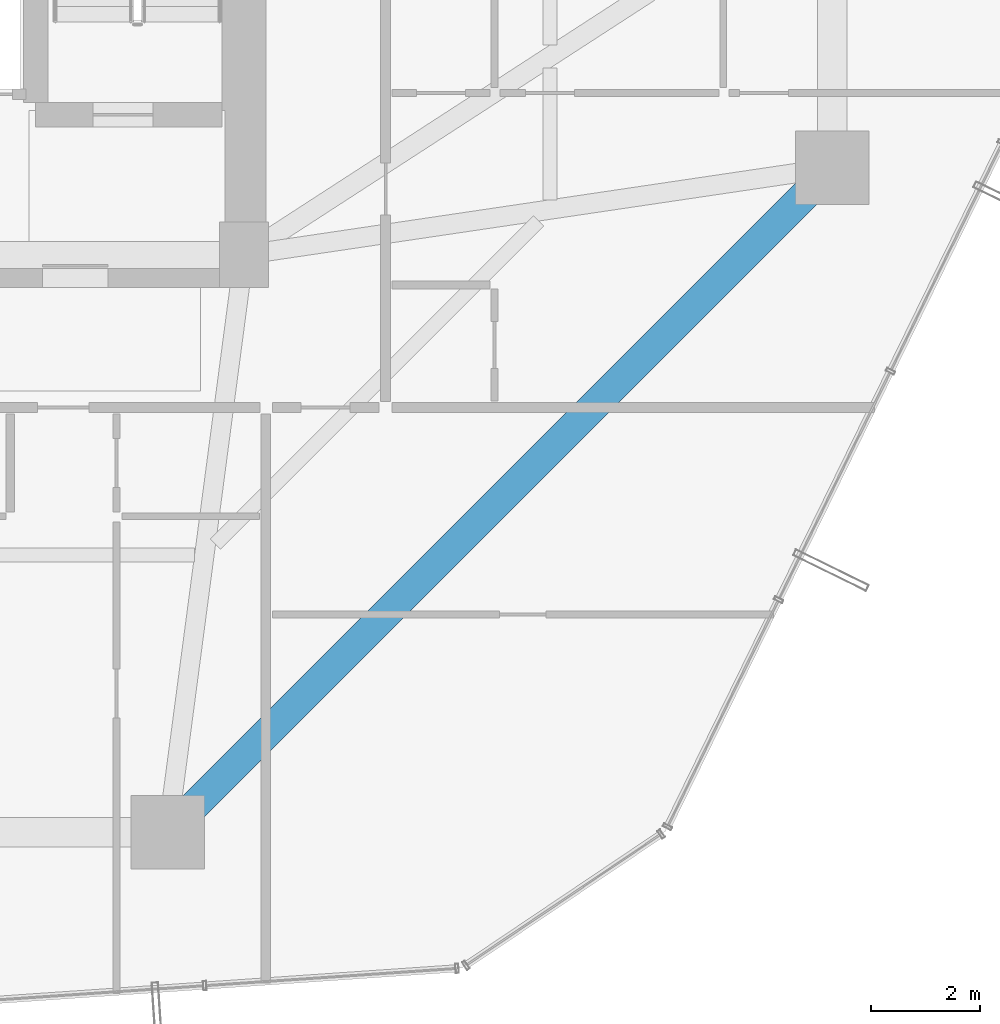
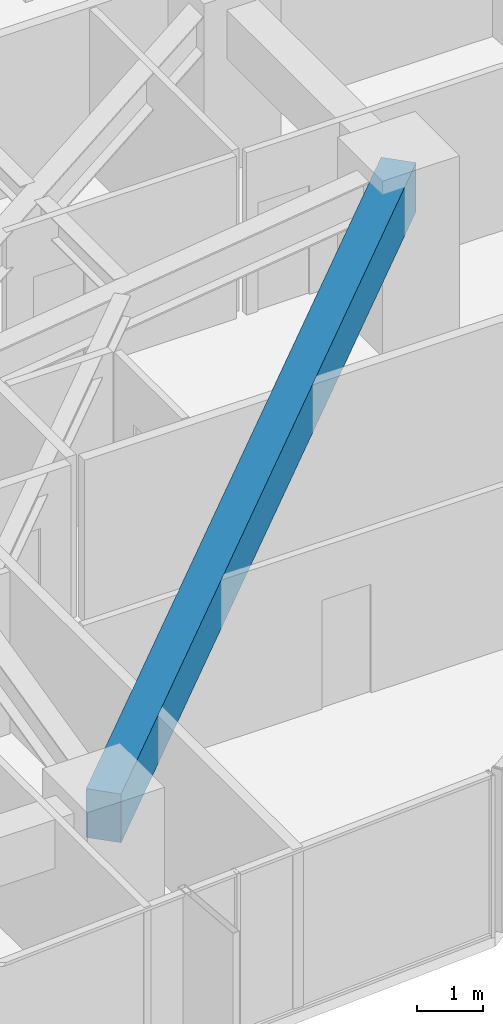
# One storey, part 15 of 37: 1 beam.
"""IFC4 building model written with IfcOpenShell, lengths in metres."""

from ifc_helpers import new_model, si_unit, direction, frame, origin, origin_2d, place, context, subcontext, project, spatial, rectangle, extrude, material, material_profile, profile_set, type_object, element, save


model = new_model("IFC4")

# Units and contexts
model_context = context("Model", 3, precision=1e-05, world=origin(), true_north=direction((0.0, 1.0)))
body_context = subcontext(model_context, "Body", "Model", "MODEL_VIEW")
ifc_project = project(units=[si_unit("LENGTHUNIT", "METRE"), si_unit("AREAUNIT", "SQUARE_METRE"), si_unit("VOLUMEUNIT", "CUBIC_METRE"), si_unit("PLANEANGLEUNIT", "RADIAN"), si_unit("MASSUNIT", "GRAM", prefix="KILO")], contexts=[model_context])

# Site, building, storey
site_placement = place(None, origin())
site = spatial("IfcSite", under=ifc_project, at=site_placement, CompositionType="ELEMENT")
building_placement = place(site_placement, origin())
building = spatial("IfcBuilding", under=site, at=building_placement, Name="Veraguas Prism Commons", CompositionType="ELEMENT")
storey_placement = place(building_placement, frame((0.0, 0.0, 37.050048828125)))
storey = spatial("IfcBuildingStorey", under=building, at=storey_placement, Name="L09", CompositionType="ELEMENT", Elevation=37.050048828125)

# Beam
ifc_material = material(Name="Concrete C50/60", Category="concrete")
ifc_material_profile = material_profile(ifc_material, rectangle(XDim=0.550048828125, YDim=0.89990234375, at=origin_2d()), Name="RC550X900")
ifc_profile_set = profile_set([ifc_material_profile], Name="Concrete C50/60")
beam_type = type_object("IfcBeamType", Name="Perimeter Spandrel Lower RC 550x900", PredefinedType="SPANDREL", material=ifc_profile_set)
beam_placement = place(storey_placement, frame((29.39990234375, 6.39990234375, 2.550048828125), z_axis=(0.707106781187, 0.707106781187, 0.0), x_axis=(-0.707106781187, 0.707106781187, 0.0)))
element("IfcBeam", 1, at=beam_placement, inside=storey, type_object=beam_type, Name="Perimeter Spandrel Beam L09-SP12", PredefinedType="SPANDREL", context=body_context, shape_type="SweptSolid", body=[
    extrude(rectangle(XDim=0.550048828125, YDim=0.89990234375, at=origin_2d()), origin(), (0.0, 0.0, 1.0), 17.253662109375),
])

save(model, "model.ifc")
